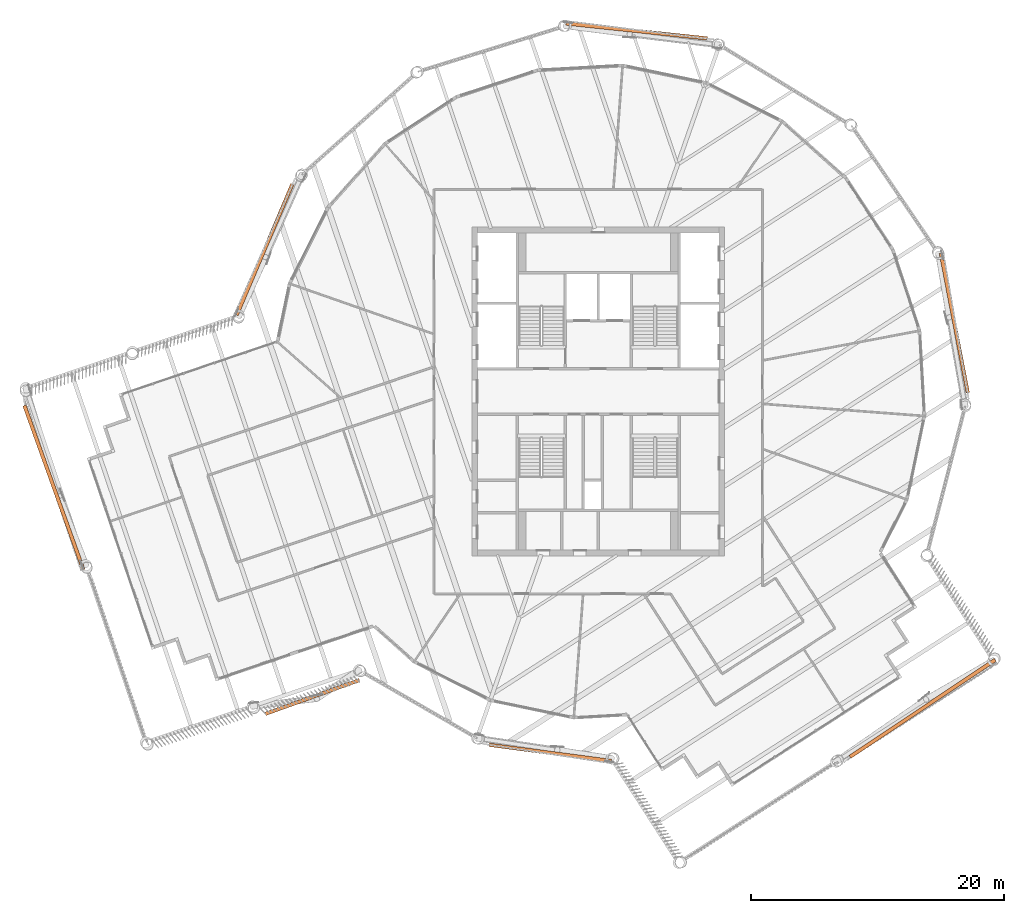
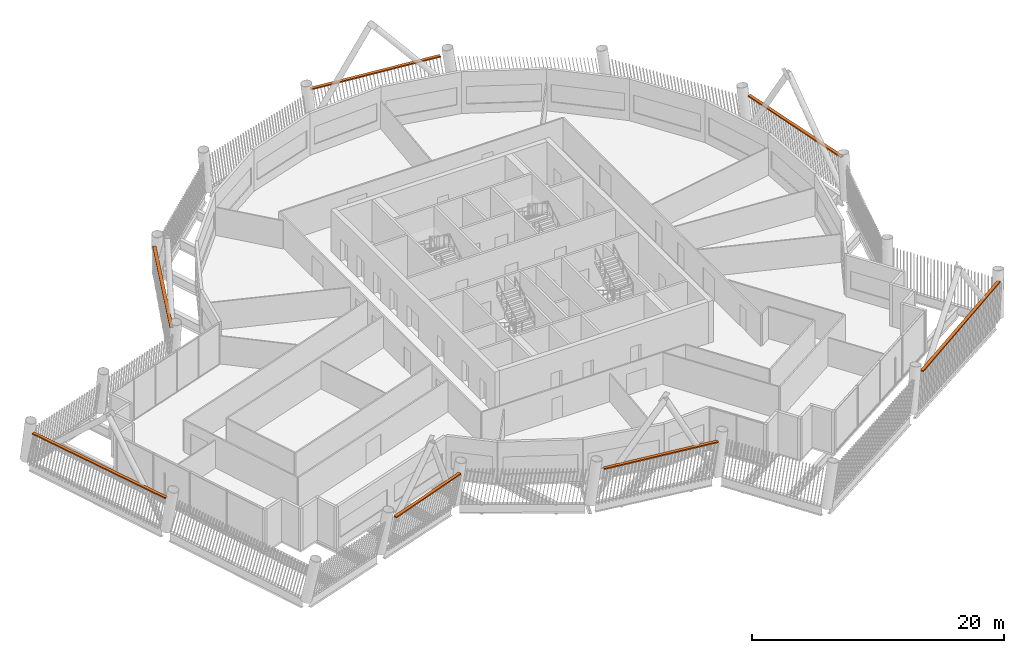
# One storey, part 35 of 35: 7 proxies.
"""IFC4 building model written with IfcOpenShell, lengths in metres."""

from ifc_helpers import new_model, si_unit, direction, frame, origin, origin_2d, place, context, subcontext, project, spatial, rectangle, extrude, material, type_object, element, save


model = new_model("IFC4")

# Units and contexts
model_context = context("Model", 3, precision=1e-05, world=origin(), true_north=direction((0.0, 1.0)))
body_context = subcontext(model_context, "Body", "Model", "MODEL_VIEW")
ifc_project = project(units=[si_unit("LENGTHUNIT", "METRE"), si_unit("AREAUNIT", "SQUARE_METRE"), si_unit("VOLUMEUNIT", "CUBIC_METRE"), si_unit("PLANEANGLEUNIT", "RADIAN"), si_unit("MASSUNIT", "GRAM", prefix="KILO")], contexts=[model_context])

# Site, building, storey
site_placement = place(None, origin())
site = spatial("IfcSite", under=ifc_project, at=site_placement, CompositionType="ELEMENT")
building_placement = place(site_placement, origin())
building = spatial("IfcBuilding", under=site, at=building_placement, Name="Tarsis Ring Headquarters", CompositionType="ELEMENT")
storey_placement = place(building_placement, frame((0.0, 0.0, 360.800048828125)))
storey = spatial("IfcBuildingStorey", under=building, at=storey_placement, Name="L85", CompositionType="ELEMENT", Elevation=360.800048828125)

# Proxies
ifc_material = material(Name="Structural steel S355", Category="steel")
building_element_proxy_type = type_object("IfcBuildingElementProxyType", Name="Screen bracket plate", PredefinedType="USERDEFINED", material=ifc_material)
proxy_1_placement = place(storey_placement, frame((-3.791748046875, -28.588134765625, 3.2802734375), z_axis=(0.0, 0.0, 1.0), x_axis=(0.99131907403, -0.131478110208, 0.0)))
element("IfcBuildingElementProxy", 1, at=proxy_1_placement, inside=storey, type_object=building_element_proxy_type, Name="Screen bracket L85-00", ObjectType="Bracket", PredefinedType="USERDEFINED", context=body_context, shape_type="SweptSolid", body=[
    extrude(rectangle(XDim=9.771728515625, YDim=0.28271484375, at=origin_2d()), origin(), (0.0, 0.0, 1.0), 0.1201171875),
])
proxy_2_placement = place(storey_placement, frame((25.654296875, -25.063720703125, 3.2802734375), z_axis=(0.0, 0.0, 1.0), x_axis=(0.831372634341, 0.555715343381, 0.0)))
element("IfcBuildingElementProxy", 2, at=proxy_2_placement, inside=storey, type_object=building_element_proxy_type, Name="Screen bracket L85-03", ObjectType="Bracket", PredefinedType="USERDEFINED", context=body_context, shape_type="SweptSolid", body=[
    extrude(rectangle(XDim=13.800048828125, YDim=0.28271484375, at=origin_2d()), origin(), (0.0, 0.0, 1.0), 0.1201171875),
])
for number, where, z_axis, x_axis, name in (
    (3, (28.17138671875, 5.4267578125, 3.2802734375), (0.0, 0.0, 1.0), (-0.189160140087, 0.981946251789, 0.0), "Screen bracket L85-06"),
    (4, (3.032958984375, 28.528564453125, 3.2802734375), (0.0, 0.0, 1.0), (-0.994395754294, 0.105721728339, 0.0), "Screen bracket L85-09"),
    (5, (-26.400634765625, 11.228759765625, 3.2802734375), (0.0, 0.0, 1.0), (-0.391394208855, -0.920223110596, 0.0), "Screen bracket L85-12"),
):
    element("IfcBuildingElementProxy", number, at=place(storey_placement, frame(where, z_axis=z_axis, x_axis=x_axis)), inside=storey, type_object=building_element_proxy_type, Name=name, ObjectType="Bracket", PredefinedType="USERDEFINED", context=body_context, shape_type="SweptSolid", body=[
        extrude(rectangle(XDim=11.248779296875, YDim=0.28271484375, at=origin_2d()), origin(), (0.0, 0.0, 1.0), 0.1201171875),
    ])
proxy_3_placement = place(storey_placement, frame((-43.05810546875, -7.60498046875, 3.2802734375), z_axis=(0.0, 0.0, 1.0), x_axis=(0.33808101191, -0.941117011527, 0.0)))
element("IfcBuildingElementProxy", 6, at=proxy_3_placement, inside=storey, type_object=building_element_proxy_type, Name="Screen bracket L85-15", ObjectType="Bracket", PredefinedType="USERDEFINED", context=body_context, shape_type="SweptSolid", body=[
    extrude(rectangle(XDim=13.800048828125, YDim=0.28271484375, at=origin_2d()), origin(), (0.0, 0.0, 1.0), 0.1201171875),
])
proxy_4_placement = place(storey_placement, frame((-22.60986328125, -24.160400390625, 3.2802734375), z_axis=(0.0, 0.0, 1.0), x_axis=(0.94111704103, 0.338080929782, 0.0)))
element("IfcBuildingElementProxy", 7, at=proxy_4_placement, inside=storey, type_object=building_element_proxy_type, Name="Screen bracket L85-18", ObjectType="Bracket", PredefinedType="USERDEFINED", context=body_context, shape_type="SweptSolid", body=[
    extrude(rectangle(XDim=7.90234375, YDim=0.28271484375, at=origin_2d()), origin(), (0.0, 0.0, 1.0), 0.1201171875),
])

save(model, "model.ifc")
